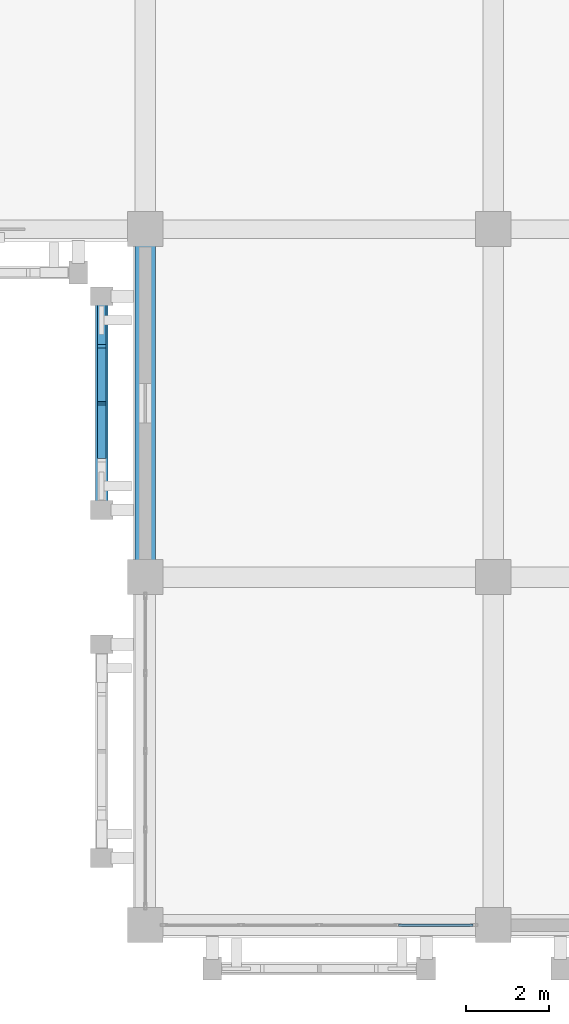
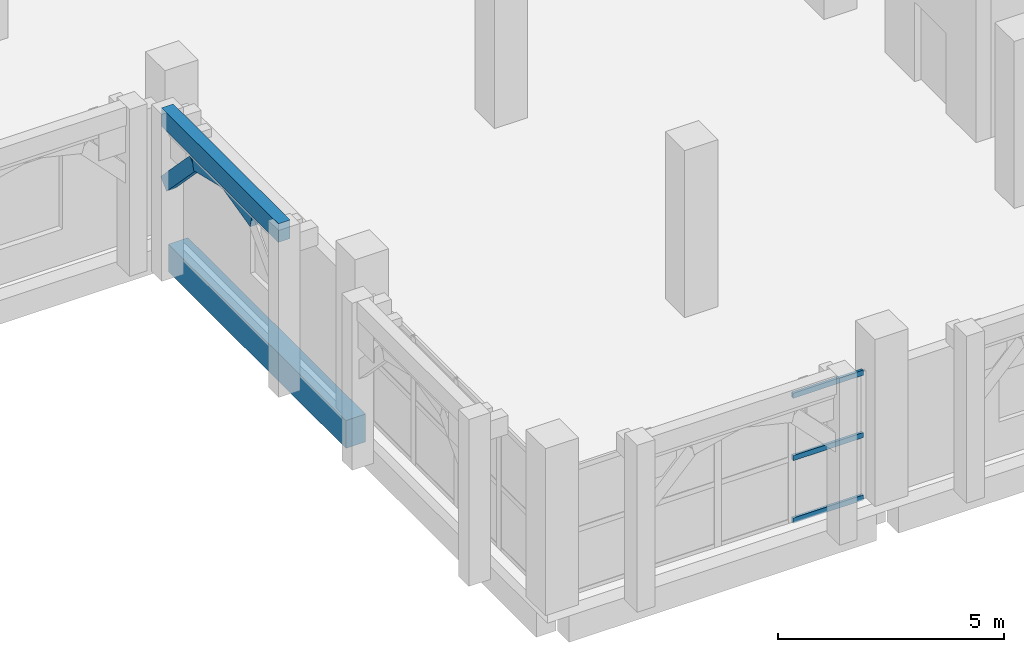
# One storey, part 4 of 137: 6 members, 2 beams, 1 element without a shape of its own.
"""IFC4 building model written with IfcOpenShell, lengths in metres."""

from ifc_helpers import new_model, si_unit, direction, frame, origin, origin_2d, place, context, subcontext, project, spatial, rectangle, hollow_rectangle, extrude, material, layer, layer_set, material_profile, profile_set, type_object, element, aggregate, save


model = new_model("IFC4")

# Units and contexts
model_context = context("Model", 3, precision=1e-05, world=origin(), true_north=direction((0.0, 1.0)))
body_context = subcontext(model_context, "Body", "Model", "MODEL_VIEW")
ifc_project = project(units=[si_unit("LENGTHUNIT", "METRE"), si_unit("AREAUNIT", "SQUARE_METRE"), si_unit("VOLUMEUNIT", "CUBIC_METRE"), si_unit("PLANEANGLEUNIT", "RADIAN"), si_unit("MASSUNIT", "GRAM", prefix="KILO")], contexts=[model_context])

# Site, building, storey
site_placement = place(None, origin())
site = spatial("IfcSite", under=ifc_project, at=site_placement, CompositionType="ELEMENT")
building_placement = place(site_placement, origin())
building = spatial("IfcBuilding", under=site, at=building_placement, Name="Xazarin Passage Department Store", CompositionType="ELEMENT")
storey_placement = place(building_placement, frame((0.0, 0.0, 5.39990234375)))
storey = spatial("IfcBuildingStorey", under=building, at=storey_placement, Name="L01", CompositionType="ELEMENT", Elevation=5.39990234375)

# Curtain wall, members
ifc_material_1 = material(Name="Bronze anodised aluminium", Category="aluminium")
ifc_layer = layer(ifc_material_1, 0.18994140625)
ifc_layer_set = layer_set([ifc_layer], Name="Bronze anodised aluminium")
curtain_wall_type = type_object("IfcCurtainWallType", Name="ARC-CW-FDH1", PredefinedType="NOTDEFINED", material=ifc_layer_set)
curtain_wall_placement = place(storey_placement, origin())
curtain_wall = element("IfcCurtainWall", 1, at=curtain_wall_placement, inside=storey, type_object=curtain_wall_type, Name="L01 V3 Curtain Wall 123", PredefinedType="NOTDEFINED")
ifc_material_profile_1 = material_profile(ifc_material_1, hollow_rectangle(XDim=0.06494140625, YDim=0.139892578125, WallThickness=0.00390625, at=origin_2d()), Name="ALU 65x140")
ifc_profile_set_1 = profile_set([ifc_material_profile_1], Name="Bronze anodised aluminium")
member_type_1 = type_object("IfcMemberType", Name="ARC-CWT-65x140", PredefinedType="USERDEFINED", material=ifc_profile_set_1)
member_1_placement = place(storey_placement, frame((14.52001953125, 0.0, 0.03271484375), z_axis=(1.0, 0.0, 0.0), x_axis=(0.0, 1.0, 0.0)))
member_1 = element("IfcMember", 2, at=member_1_placement, type_object=member_type_1, Name="CW5 transom 4.1", ObjectType="TRANSOM", PredefinedType="USERDEFINED", context=body_context, shape_type="SweptSolid", body=[
    extrude(hollow_rectangle(XDim=0.06494140625, YDim=0.139892578125, WallThickness=0.00390625, at=origin_2d()), origin(), (0.0, 0.0, 1.0), 1.7900390625),
])
member_2_placement = place(storey_placement, frame((14.52001953125, 0.0, 1.715087890625), z_axis=(1.0, 0.0, 0.0), x_axis=(0.0, 1.0, 0.0)))
member_2 = element("IfcMember", 3, at=member_2_placement, type_object=member_type_1, Name="CW5 transom 4.2", ObjectType="TRANSOM", PredefinedType="USERDEFINED", context=body_context, shape_type="SweptSolid", body=[
    extrude(hollow_rectangle(XDim=0.06494140625, YDim=0.139892578125, WallThickness=0.00390625, at=origin_2d()), origin(), (0.0, 0.0, 1.0), 1.7900390625),
])
member_3_placement = place(storey_placement, frame((14.52001953125, 0.0, 3.397705078125), z_axis=(1.0, 0.0, 0.0), x_axis=(0.0, 1.0, 0.0)))
member_3 = element("IfcMember", 4, at=member_3_placement, type_object=member_type_1, Name="CW5 transom 4.3", ObjectType="TRANSOM", PredefinedType="USERDEFINED", context=body_context, shape_type="SweptSolid", body=[
    extrude(hollow_rectangle(XDim=0.06494140625, YDim=0.139892578125, WallThickness=0.00390625, at=origin_2d()), origin(), (0.0, 0.0, 1.0), 1.7900390625),
])
aggregate(curtain_wall, [member_1, member_2, member_3])

# Beams
ifc_material_2 = material(Name="Concrete C35/45", Category="concrete")
ifc_material_profile_2 = material_profile(ifc_material_2, rectangle(XDim=0.300048828125, YDim=0.5, at=origin_2d()), Name="RC 300x500")
ifc_profile_set_2 = profile_set([ifc_material_profile_2], Name="Concrete C35/45")
beam_type_1 = type_object("IfcBeamType", Name="STR-BM-LN300x500", PredefinedType="LINTEL", material=ifc_profile_set_2)
beam_1_placement = place(storey_placement, frame((7.35009765625, 10.02001953125, 4.25), z_axis=(0.0, 1.0, 0.0), x_axis=(-1.0, 0.0, 0.0)))
element("IfcBeam", 5, at=beam_1_placement, inside=storey, type_object=beam_type_1, Name="L01 V3 Colonnade Spandrel Beam 039", PredefinedType="LINTEL", context=body_context, shape_type="SweptSolid", body=[
    extrude(rectangle(XDim=0.300048828125, YDim=0.5, at=origin_2d()), origin(), (0.0, 0.0, 1.0), 5.159912109375),
])
ifc_material_profile_3 = material_profile(ifc_material_2, rectangle(XDim=0.5, YDim=0.75, at=origin_2d()), Name="RC 500x750")
ifc_profile_set_3 = profile_set([ifc_material_profile_3], Name="Concrete C35/45")
beam_type_2 = type_object("IfcBeamType", Name="STR-BM-SP500x750", PredefinedType="SPANDREL", material=ifc_profile_set_3)
beam_2_placement = place(storey_placement, frame((8.39990234375, 8.679931640625, -0.69482421875), z_axis=(0.0, 1.0, 0.0), x_axis=(-1.0, 0.0, 0.0)))
element("IfcBeam", 6, at=beam_2_placement, inside=storey, type_object=beam_type_2, Name="L01 Grid Beam 2/B-C", PredefinedType="SPANDREL", context=body_context, shape_type="SweptSolid", body=[
    extrude(rectangle(XDim=0.5, YDim=0.75, at=origin_2d()), origin(), (0.0, 0.0, 1.0), 7.840087890625),
])

# Members
ifc_material_3 = material(Name="Concrete C40/50", Category="concrete")
ifc_material_profile_4 = material_profile(ifc_material_3, rectangle(XDim=0.199951171875, YDim=0.360107421875, at=origin_2d()), Name="RC 200x360")
ifc_profile_set_4 = profile_set([ifc_material_profile_4], Name="Concrete C40/50")
member_type_2 = type_object("IfcMemberType", Name="STR-MEM-ARC360", PredefinedType="CHORD", material=ifc_profile_set_4)
member_4_placement = place(storey_placement, frame((7.35009765625, 11.31005859375, 3.7705078125), z_axis=(0.0, 0.972393983317, 0.233345111818), x_axis=(-1.0, 0.0, 0.0)))
element("IfcMember", 7, at=member_4_placement, inside=storey, type_object=member_type_2, Name="L01 V3 Pierced Lattice Curved Arch 039.2", PredefinedType="CHORD", context=body_context, shape_type="SweptSolid", body=[
    extrude(rectangle(XDim=0.199951171875, YDim=0.360107421875, at=origin_2d()), origin(), (0.0, 0.0, 1.0), 1.32666015625),
])
member_5_placement = place(storey_placement, frame((7.35009765625, 12.60009765625, 4.080078125), z_axis=(0.0, 0.972383960415, -0.233386875224), x_axis=(-1.0, 0.0, 0.0)))
element("IfcMember", 8, at=member_5_placement, inside=storey, type_object=member_type_2, Name="L01 V3 Pierced Lattice Curved Arch 039.3", PredefinedType="CHORD", context=body_context, shape_type="SweptSolid", body=[
    extrude(rectangle(XDim=0.199951171875, YDim=0.360107421875, at=origin_2d()), origin(), (0.0, 0.0, 1.0), 1.326416015625),
])
member_6_placement = place(storey_placement, frame((7.35009765625, 13.889892578125, 3.7705078125), z_axis=(0.0, 0.693460080602, -0.720495049679), x_axis=(-1.0, 0.0, 0.0)))
element("IfcMember", 9, at=member_6_placement, inside=storey, type_object=member_type_2, Name="L01 V3 Pierced Lattice Curved Arch 039.4", PredefinedType="CHORD", context=body_context, shape_type="SweptSolid", body=[
    extrude(rectangle(XDim=0.199951171875, YDim=0.360107421875, at=origin_2d()), origin(), (0.0, 0.0, 1.0), 1.8603515625),
])

save(model, "model.ifc")
